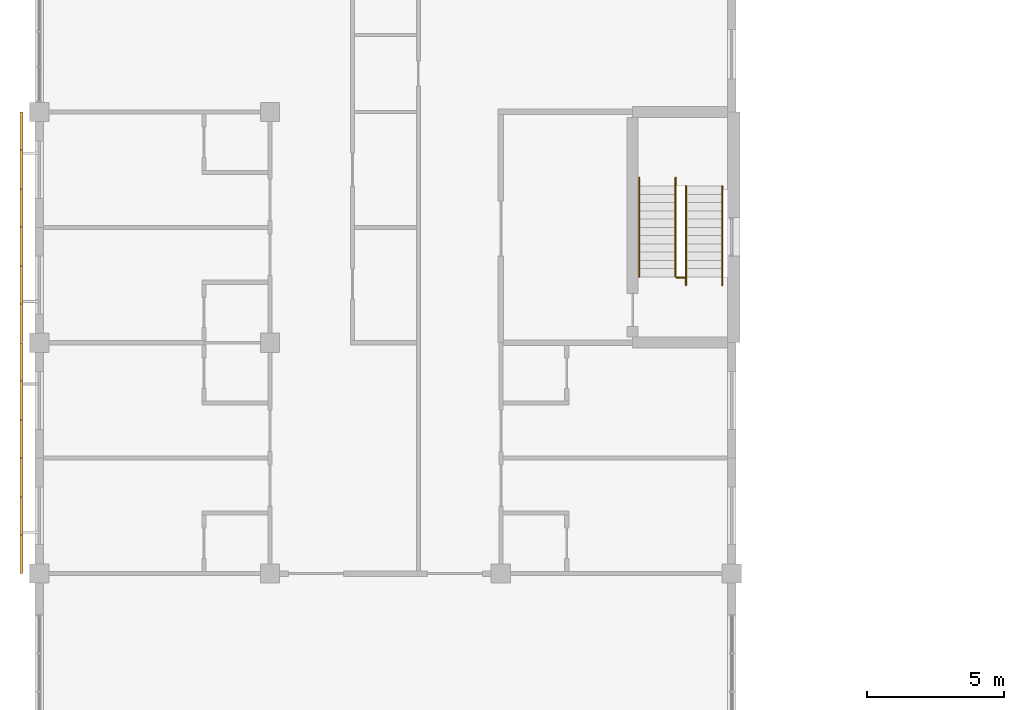
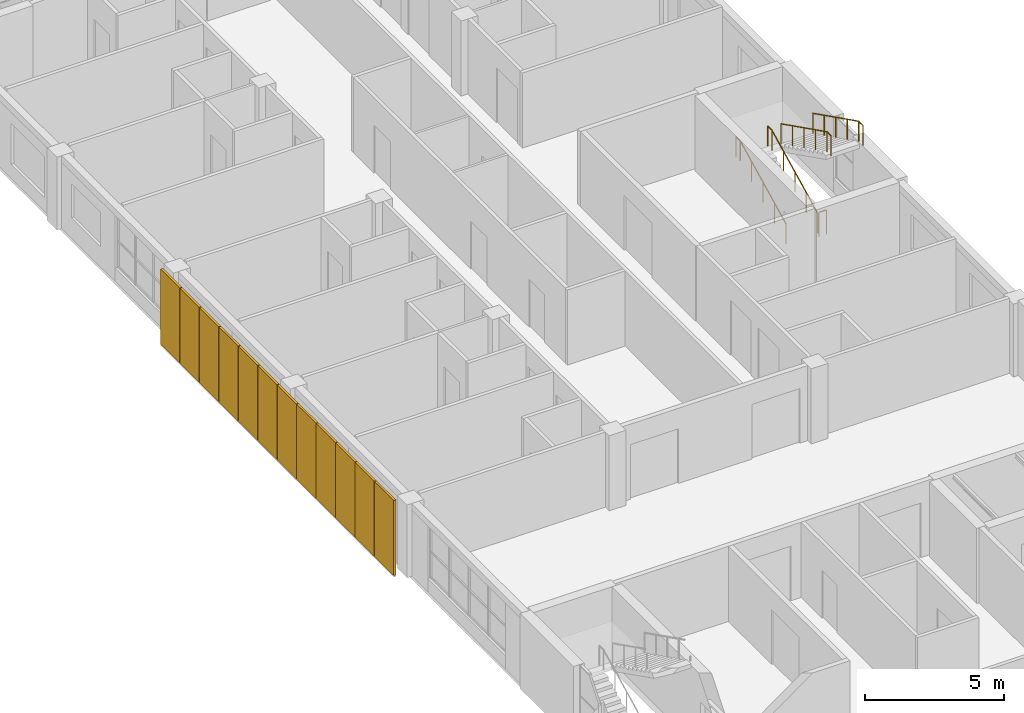
# One storey, part 45 of 48: 12 shading devices, 5 railings.
"""IFC4 building model written with IfcOpenShell, lengths in metres."""

from ifc_helpers import new_model, si_unit, direction, frame, origin, origin_2d, place, context, subcontext, project, spatial, rectangle, circle, extrude, material, layer, layer_set, type_object, element, save


model = new_model("IFC4")

# Units and contexts
model_context = context("Model", 3, precision=1e-05, world=origin(), true_north=direction((0.0, 1.0)))
body_context = subcontext(model_context, "Body", "Model", "MODEL_VIEW")
ifc_project = project(units=[si_unit("LENGTHUNIT", "METRE"), si_unit("AREAUNIT", "SQUARE_METRE"), si_unit("VOLUMEUNIT", "CUBIC_METRE"), si_unit("PLANEANGLEUNIT", "RADIAN"), si_unit("MASSUNIT", "GRAM", prefix="KILO")], contexts=[model_context])

# Site, building, storey
site_placement = place(None, origin())
site = spatial("IfcSite", under=ifc_project, at=site_placement, CompositionType="ELEMENT")
building_placement = place(site_placement, origin())
building = spatial("IfcBuilding", under=site, at=building_placement, Name="Yavir Park General Hospital", CompositionType="ELEMENT")
storey_placement = place(building_placement, frame((0.0, 0.0, 26.10009765625)))
storey = spatial("IfcBuildingStorey", under=building, at=storey_placement, Name="L06", CompositionType="ELEMENT", Elevation=26.10009765625)

# Shading devices
ifc_material_1 = material(Name="Precast concrete perforated block panel", Category="concrete")
ifc_layer = layer(ifc_material_1, 0.092041015625)
ifc_layer_set = layer_set([ifc_layer], Name="Precast concrete perforated block panel")
shading_device_type = type_object("IfcShadingDeviceType", Name="Precast breeze-block screen panel 1380 x 3300 x 92", PredefinedType="JALOUSIE", material=ifc_layer_set)
for number, where, z_axis, x_axis, name in (
    (1, (-0.64990234375, 34.300048828125, 0.0), (0.0, 0.0, 1.0), (1.0, 0.0, 0.0), "Screen panel W5.4.1"),
    (2, (-0.64990234375, 35.699951171875, 0.0), (0.0, 0.0, 1.0), (1.0, 0.0, 0.0), "Screen panel W5.4.2"),
    (3, (-0.64990234375, 37.10009765625, 0.0), (0.0, 0.0, 1.0), (1.0, 0.0, 0.0), "Screen panel W5.4.3"),
    (4, (-0.64990234375, 38.5, 0.0), (0.0, 0.0, 1.0), (1.0, 0.0, 0.0), "Screen panel W5.4.4"),
    (5, (-0.64990234375, 39.89990234375, 0.0), (0.0, 0.0, 1.0), (1.0, 0.0, 0.0), "Screen panel W5.4.5"),
    (6, (-0.64990234375, 41.300048828125, 0.0), (0.0, 0.0, 1.0), (1.0, 0.0, 0.0), "Screen panel W5.4.6"),
    (7, (-0.64990234375, 42.699951171875, 0.0), (0.0, 0.0, 1.0), (1.0, 0.0, 0.0), "Screen panel W6.4.1"),
    (8, (-0.64990234375, 44.10009765625, 0.0), (0.0, 0.0, 1.0), (1.0, 0.0, 0.0), "Screen panel W6.4.2"),
    (9, (-0.64990234375, 45.5, 0.0), (0.0, 0.0, 1.0), (1.0, 0.0, 0.0), "Screen panel W6.4.3"),
    (10, (-0.64990234375, 46.89990234375, 0.0), (0.0, 0.0, 1.0), (1.0, 0.0, 0.0), "Screen panel W6.4.4"),
    (11, (-0.64990234375, 48.300048828125, 0.0), (0.0, 0.0, 1.0), (1.0, 0.0, 0.0), "Screen panel W6.4.5"),
    (12, (-0.64990234375, 49.699951171875, 0.0), (0.0, 0.0, 1.0), (1.0, 0.0, 0.0), "Screen panel W6.4.6"),
):
    element("IfcShadingDevice", number, at=place(storey_placement, frame(where, z_axis=z_axis, x_axis=x_axis)), inside=storey, type_object=shading_device_type, Name=name, PredefinedType="JALOUSIE", context=body_context, shape_type="SweptSolid", body=[
        extrude(rectangle(XDim=0.092041015625, YDim=1.3798828125, at=origin_2d()), origin(), (0.0, 0.0, 1.0), 3.300048828125),
    ])

# Railings
ifc_material_2 = material(Name="Steel balustrade with infill rods", Category="steel")
railing_type_1 = type_object("IfcRailingType", Name="Stair guard, steel balustrade 1100 mm", PredefinedType="GUARDRAIL", material=ifc_material_2)
railing_placement = place(storey_placement, frame((23.199951171875, 44.3701171875, 0.0)))
element("IfcRailing", 13, at=railing_placement, inside=storey, type_object=railing_type_1, Name="Stair well guard SW1 L06", PredefinedType="GUARDRAIL", context=body_context, shape_type="SweptSolid", body=[
    extrude(circle(Radius=0.02392578125, at=origin_2d()), frame((0.0, 0.0, 1.076171875), z_axis=(1.0, 0.0, 0.0), x_axis=(0.0, 1.0, 0.0)), (0.0, 0.0, 1.0), 0.300048828125),
    extrude(circle(Radius=0.02099609375, at=origin_2d()), origin(), (0.0, 0.0, 1.0), 1.052001953125),
    extrude(circle(Radius=0.02099609375, at=origin_2d()), frame((0.300048828125, 0.0, 0.0)), (0.0, 0.0, 1.0), 1.052001953125),
])
ifc_material_3 = material(Name="Stainless steel tube 48 mm", Category="steel")
railing_type_2 = type_object("IfcRailingType", Name="Stair handrail, steel tube, 900 mm above the nosings", PredefinedType="HANDRAIL", material=ifc_material_3)
for number, where, name in (
    (14, (21.840087890625, 44.39990234375, 0.14990234375), "Handrail SW1 L06 1"),
    (15, (23.159912109375, 44.39990234375, 0.14990234375), "Handrail SW1 L06 2"),
):
    element("IfcRailing", number, at=place(storey_placement, frame(where)), inside=storey, type_object=railing_type_2, Name=name, PredefinedType="HANDRAIL", context=body_context, shape_type="SweptSolid", body=[
        extrude(circle(Radius=0.02392578125, at=origin_2d()), frame((0.0, 0.0, 0.8759765625), z_axis=(0.0, 0.894440424912, 0.447187126696), x_axis=(-1.0, 0.0, 0.0)), (0.0, 0.0, 1.0), 3.689453125),
        extrude(circle(Radius=0.02392578125, at=origin_2d()), frame((0.0, 3.300048828125, 2.52587890625), z_axis=(0.0, 1.0, 0.0), x_axis=(-1.0, 0.0, 0.0)), (0.0, 0.0, 1.0), 0.300048828125),
        extrude(circle(Radius=0.02099609375, at=origin_2d()), origin(), (0.0, 0.0, 1.0), 0.851806640625),
        extrude(circle(Radius=0.02099609375, at=origin_2d()), frame((0.0, 0.824951171875, 0.41259765625)), (0.0, 0.0, 1.0), 0.851806640625),
        extrude(circle(Radius=0.02099609375, at=origin_2d()), frame((0.0, 1.64990234375, 0.824951171875)), (0.0, 0.0, 1.0), 0.851806640625),
        extrude(circle(Radius=0.02099609375, at=origin_2d()), frame((0.0, 2.47509765625, 1.2373046875)), (0.0, 0.0, 1.0), 0.851806640625),
        extrude(circle(Radius=0.02099609375, at=origin_2d()), frame((0.0, 3.300048828125, 1.64990234375)), (0.0, 0.0, 1.0), 0.851806640625),
        extrude(circle(Radius=0.02099609375, at=origin_2d()), frame((0.0, 3.60009765625, 1.64990234375)), (0.0, 0.0, 1.0), 0.851806640625),
    ])
for number, where, name in (
    (16, (24.860107421875, 47.699951171875, 1.949951171875), "Handrail SW1 L06 3"),
    (17, (23.5400390625, 47.699951171875, 1.949951171875), "Handrail SW1 L06 4"),
):
    element("IfcRailing", number, at=place(storey_placement, frame(where)), inside=storey, type_object=railing_type_2, Name=name, PredefinedType="HANDRAIL", context=body_context, shape_type="SweptSolid", body=[
        extrude(circle(Radius=0.02392578125, at=origin_2d()), frame((0.0, 0.0, 0.8759765625), z_axis=(0.0, -0.894440424912, 0.447187126696), x_axis=(1.0, 0.0, 0.0)), (0.0, 0.0, 1.0), 3.689453125),
        extrude(circle(Radius=0.02392578125, at=origin_2d()), frame((0.0, -3.300048828125, 2.52587890625), z_axis=(0.0, -1.0, 0.0), x_axis=(1.0, 0.0, 0.0)), (0.0, 0.0, 1.0), 0.2998046875),
        extrude(circle(Radius=0.02099609375, at=origin_2d()), origin(), (0.0, 0.0, 1.0), 0.851806640625),
        extrude(circle(Radius=0.02099609375, at=origin_2d()), frame((0.0, -0.824951171875, 0.41259765625)), (0.0, 0.0, 1.0), 0.851806640625),
        extrude(circle(Radius=0.02099609375, at=origin_2d()), frame((0.0, -1.64990234375, 0.824951171875)), (0.0, 0.0, 1.0), 0.851806640625),
        extrude(circle(Radius=0.02099609375, at=origin_2d()), frame((0.0, -2.47509765625, 1.2373046875)), (0.0, 0.0, 1.0), 0.851806640625),
        extrude(circle(Radius=0.02099609375, at=origin_2d()), frame((0.0, -3.300048828125, 1.64990234375)), (0.0, 0.0, 1.0), 0.851806640625),
        extrude(circle(Radius=0.02099609375, at=origin_2d()), frame((0.0, -3.599853515625, 1.64990234375)), (0.0, 0.0, 1.0), 0.851806640625),
    ])

save(model, "model.ifc")
